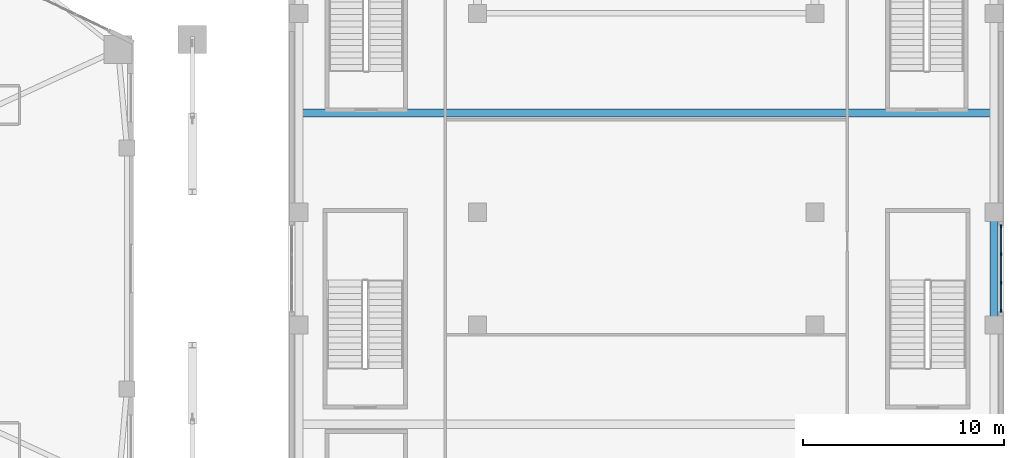
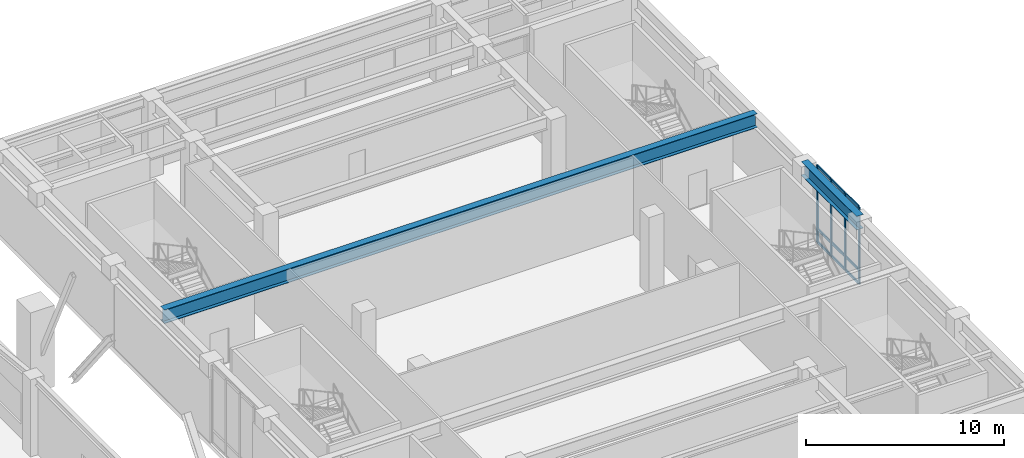
# One storey, part 9 of 24: 13 members, 2 beams, 1 element without a shape of its own.
"""IFC4 building model written with IfcOpenShell, lengths in metres."""

from ifc_helpers import new_model, si_unit, direction, frame, origin, origin_2d, place, context, subcontext, project, spatial, rectangle, i_section, extrude, material, layer, layer_set, material_profile, profile_set, type_object, element, aggregate, save


model = new_model("IFC4")

# Units and contexts
model_context = context("Model", 3, precision=1e-05, world=origin(), true_north=direction((0.0, 1.0)))
body_context = subcontext(model_context, "Body", "Model", "MODEL_VIEW")
ifc_project = project(units=[si_unit("LENGTHUNIT", "METRE"), si_unit("AREAUNIT", "SQUARE_METRE"), si_unit("VOLUMEUNIT", "CUBIC_METRE"), si_unit("PLANEANGLEUNIT", "RADIAN"), si_unit("MASSUNIT", "GRAM", prefix="KILO")], contexts=[model_context])

# Site, building, storey
site_placement = place(None, origin())
site = spatial("IfcSite", under=ifc_project, at=site_placement, CompositionType="ELEMENT")
building_placement = place(site_placement, origin())
building = spatial("IfcBuilding", under=site, at=building_placement, Name="Kolvaren Gate Tower and Convention Centre", CompositionType="ELEMENT")
storey_placement = place(building_placement, frame((0.0, 0.0, 10.0)))
storey = spatial("IfcBuildingStorey", under=building, at=storey_placement, Name="L02", CompositionType="ELEMENT", Elevation=10.0)

# Curtain wall, members
ifc_material_1 = material(Name="Anodized Architectural Aluminium Alloy 6063-T6", Category="aluminium")
ifc_layer = layer(ifc_material_1, 0.179931640625)
ifc_layer_set = layer_set([ifc_layer], Name="Anodized Architectural Aluminium Alloy 6063-T6")
curtain_wall_type = type_object("IfcCurtainWallType", Name="CW-CONV-GLZ", PredefinedType="NOTDEFINED", material=ifc_layer_set)
curtain_wall_placement = place(storey_placement, origin())
curtain_wall = element("IfcCurtainWall", 1, at=curtain_wall_placement, inside=storey, type_object=curtain_wall_type, Name="Convention L02 E Foyer Curtain Wall CW-CC-L02-E", PredefinedType="NOTDEFINED")
ifc_material_profile_1 = material_profile(ifc_material_1, rectangle(XDim=0.06494140625, YDim=0.159912109375, at=origin_2d()), Name="CW-MEM-MUL-160")
ifc_profile_set_1 = profile_set([ifc_material_profile_1], Name="Anodized Architectural Aluminium Alloy 6063-T6")
member_type_1 = type_object("IfcMemberType", Name="CW-MEM-MUL-160", PredefinedType="MULLION", material=ifc_profile_set_1)
member_1_placement = place(storey_placement, frame((97.64990234375, 24.892578125, 0.0), z_axis=(0.0, 0.0, 1.0), x_axis=(-1.0, 0.0, 0.0)))
member_1 = element("IfcMember", 2, at=member_1_placement, type_object=member_type_1, Name="CW-06 mullion 1", PredefinedType="MULLION", context=body_context, shape_type="SweptSolid", body=[
    extrude(rectangle(XDim=0.06494140625, YDim=0.159912109375, at=origin_2d()), origin(), (0.0, 0.0, 1.0), 4.760009765625),
])
member_2_placement = place(storey_placement, frame((97.64990234375, 26.28662109375, 0.0), z_axis=(0.0, 0.0, 1.0), x_axis=(-1.0, 0.0, 0.0)))
member_2 = element("IfcMember", 3, at=member_2_placement, type_object=member_type_1, Name="CW-06 mullion 2", PredefinedType="MULLION", context=body_context, shape_type="SweptSolid", body=[
    extrude(rectangle(XDim=0.06494140625, YDim=0.159912109375, at=origin_2d()), origin(), (0.0, 0.0, 1.0), 4.760009765625),
])
member_3_placement = place(storey_placement, frame((97.64990234375, 27.71337890625, 0.0), z_axis=(0.0, 0.0, 1.0), x_axis=(-1.0, 0.0, 0.0)))
member_3 = element("IfcMember", 4, at=member_3_placement, type_object=member_type_1, Name="CW-06 mullion 3", PredefinedType="MULLION", context=body_context, shape_type="SweptSolid", body=[
    extrude(rectangle(XDim=0.06494140625, YDim=0.159912109375, at=origin_2d()), origin(), (0.0, 0.0, 1.0), 4.760009765625),
])
member_4_placement = place(storey_placement, frame((97.64990234375, 29.107421875, 0.0), z_axis=(0.0, 0.0, 1.0), x_axis=(-1.0, 0.0, 0.0)))
member_4 = element("IfcMember", 5, at=member_4_placement, type_object=member_type_1, Name="CW-06 mullion 4", PredefinedType="MULLION", context=body_context, shape_type="SweptSolid", body=[
    extrude(rectangle(XDim=0.06494140625, YDim=0.159912109375, at=origin_2d()), origin(), (0.0, 0.0, 1.0), 4.760009765625),
])
ifc_material_profile_2 = material_profile(ifc_material_1, rectangle(XDim=0.06494140625, YDim=0.159912109375, at=origin_2d()), Name="CW-MEM-TRN-160")
ifc_profile_set_2 = profile_set([ifc_material_profile_2], Name="Anodized Architectural Aluminium Alloy 6063-T6")
member_type_2 = type_object("IfcMemberType", Name="CW-MEM-TRN-160", PredefinedType="USERDEFINED", material=ifc_profile_set_2)
member_5_placement = place(storey_placement, frame((97.64990234375, 24.925048828125, 0.032470703125), z_axis=(0.0, 1.0, 0.0), x_axis=(-1.0, 0.0, 0.0)))
member_5 = element("IfcMember", 6, at=member_5_placement, type_object=member_type_2, Name="CW-06 transom 1.1", ObjectType="TRANSOM", PredefinedType="USERDEFINED", context=body_context, shape_type="SweptSolid", body=[
    extrude(rectangle(XDim=0.06494140625, YDim=0.159912109375, at=origin_2d()), origin(), (0.0, 0.0, 1.0), 1.3291015625),
])
member_6_placement = place(storey_placement, frame((97.64990234375, 24.925048828125, 0.85009765625), z_axis=(0.0, 1.0, 0.0), x_axis=(-1.0, 0.0, 0.0)))
member_6 = element("IfcMember", 7, at=member_6_placement, type_object=member_type_2, Name="CW-06 transom 1.2", ObjectType="TRANSOM", PredefinedType="USERDEFINED", context=body_context, shape_type="SweptSolid", body=[
    extrude(rectangle(XDim=0.06494140625, YDim=0.159912109375, at=origin_2d()), origin(), (0.0, 0.0, 1.0), 1.3291015625),
])
member_7_placement = place(storey_placement, frame((97.64990234375, 24.925048828125, 4.7275390625), z_axis=(0.0, 1.0, 0.0), x_axis=(-1.0, 0.0, 0.0)))
member_7 = element("IfcMember", 8, at=member_7_placement, type_object=member_type_2, Name="CW-06 transom 1.3", ObjectType="TRANSOM", PredefinedType="USERDEFINED", context=body_context, shape_type="SweptSolid", body=[
    extrude(rectangle(XDim=0.06494140625, YDim=0.159912109375, at=origin_2d()), origin(), (0.0, 0.0, 1.0), 1.3291015625),
])
member_8_placement = place(storey_placement, frame((97.64990234375, 26.319091796875, 0.032470703125), z_axis=(0.0, 1.0, 0.0), x_axis=(-1.0, 0.0, 0.0)))
member_8 = element("IfcMember", 9, at=member_8_placement, type_object=member_type_2, Name="CW-06 transom 2.1", ObjectType="TRANSOM", PredefinedType="USERDEFINED", context=body_context, shape_type="SweptSolid", body=[
    extrude(rectangle(XDim=0.06494140625, YDim=0.159912109375, at=origin_2d()), origin(), (0.0, 0.0, 1.0), 1.36181640625),
])
member_9_placement = place(storey_placement, frame((97.64990234375, 26.319091796875, 0.85009765625), z_axis=(0.0, 1.0, 0.0), x_axis=(-1.0, 0.0, 0.0)))
member_9 = element("IfcMember", 10, at=member_9_placement, type_object=member_type_2, Name="CW-06 transom 2.2", ObjectType="TRANSOM", PredefinedType="USERDEFINED", context=body_context, shape_type="SweptSolid", body=[
    extrude(rectangle(XDim=0.06494140625, YDim=0.159912109375, at=origin_2d()), origin(), (0.0, 0.0, 1.0), 1.36181640625),
])
member_10_placement = place(storey_placement, frame((97.64990234375, 26.319091796875, 4.7275390625), z_axis=(0.0, 1.0, 0.0), x_axis=(-1.0, 0.0, 0.0)))
member_10 = element("IfcMember", 11, at=member_10_placement, type_object=member_type_2, Name="CW-06 transom 2.3", ObjectType="TRANSOM", PredefinedType="USERDEFINED", context=body_context, shape_type="SweptSolid", body=[
    extrude(rectangle(XDim=0.06494140625, YDim=0.159912109375, at=origin_2d()), origin(), (0.0, 0.0, 1.0), 1.36181640625),
])
member_11_placement = place(storey_placement, frame((97.64990234375, 27.745849609375, 0.032470703125), z_axis=(0.0, 1.0, 0.0), x_axis=(-1.0, 0.0, 0.0)))
member_11 = element("IfcMember", 12, at=member_11_placement, type_object=member_type_2, Name="CW-06 transom 3.1", ObjectType="TRANSOM", PredefinedType="USERDEFINED", context=body_context, shape_type="SweptSolid", body=[
    extrude(rectangle(XDim=0.06494140625, YDim=0.159912109375, at=origin_2d()), origin(), (0.0, 0.0, 1.0), 1.3291015625),
])
member_12_placement = place(storey_placement, frame((97.64990234375, 27.745849609375, 0.85009765625), z_axis=(0.0, 1.0, 0.0), x_axis=(-1.0, 0.0, 0.0)))
member_12 = element("IfcMember", 13, at=member_12_placement, type_object=member_type_2, Name="CW-06 transom 3.2", ObjectType="TRANSOM", PredefinedType="USERDEFINED", context=body_context, shape_type="SweptSolid", body=[
    extrude(rectangle(XDim=0.06494140625, YDim=0.159912109375, at=origin_2d()), origin(), (0.0, 0.0, 1.0), 1.3291015625),
])
member_13_placement = place(storey_placement, frame((97.64990234375, 27.745849609375, 4.7275390625), z_axis=(0.0, 1.0, 0.0), x_axis=(-1.0, 0.0, 0.0)))
member_13 = element("IfcMember", 14, at=member_13_placement, type_object=member_type_2, Name="CW-06 transom 3.3", ObjectType="TRANSOM", PredefinedType="USERDEFINED", context=body_context, shape_type="SweptSolid", body=[
    extrude(rectangle(XDim=0.06494140625, YDim=0.159912109375, at=origin_2d()), origin(), (0.0, 0.0, 1.0), 1.3291015625),
])
aggregate(curtain_wall, [member_1, member_2, member_3, member_4, member_5, member_6, member_7, member_8, member_9, member_10, member_11, member_12, member_13])

# Beams
ifc_material_2 = material(Name="Structural steel ASTM A992 Grade 345 MPa", Category="steel")
ifc_material_profile_3 = material_profile(ifc_material_2, i_section(OverallWidth=0.39990234375, OverallDepth=0.85498046875, WebThickness=0.018310546875, FlangeThickness=0.029296875, at=origin_2d()), Name="W840X299")
ifc_profile_set_3 = profile_set([ifc_material_profile_3], Name="Structural steel ASTM A992 Grade 345 MPa")
beam_type = type_object("IfcBeamType", Name="STR-BM-W840X299", PredefinedType="BEAM", material=ifc_profile_set_3)
beam_1_placement = place(storey_placement, frame((97.300048828125, 24.199951171875, 4.33251953125), z_axis=(0.0, 1.0, 0.0), x_axis=(-1.0, 0.0, 0.0)))
element("IfcBeam", 15, at=beam_1_placement, inside=storey, type_object=beam_type, Name="Convention L02 Longitudinal Girder CG-44", PredefinedType="BEAM", context=body_context, shape_type="SweptSolid", body=[
    extrude(i_section(OverallWidth=0.39990234375, OverallDepth=0.85498046875, WebThickness=0.018310546875, FlangeThickness=0.029296875, at=origin_2d()), origin(), (0.0, 0.0, 1.0), 5.60009765625),
])
beam_2_placement = place(storey_placement, frame((62.699951171875, 34.75, 4.33251953125), z_axis=(1.0, 0.0, 0.0), x_axis=(0.0, 1.0, 0.0)))
element("IfcBeam", 16, at=beam_2_placement, inside=storey, type_object=beam_type, Name="Convention L02 Clear-Span Secondary Girder CSG-5", PredefinedType="BEAM", context=body_context, shape_type="SweptSolid", body=[
    extrude(i_section(OverallWidth=0.39990234375, OverallDepth=0.85498046875, WebThickness=0.018310546875, FlangeThickness=0.029296875, at=origin_2d()), origin(), (0.0, 0.0, 1.0), 34.60009765625),
])

save(model, "model.ifc")
